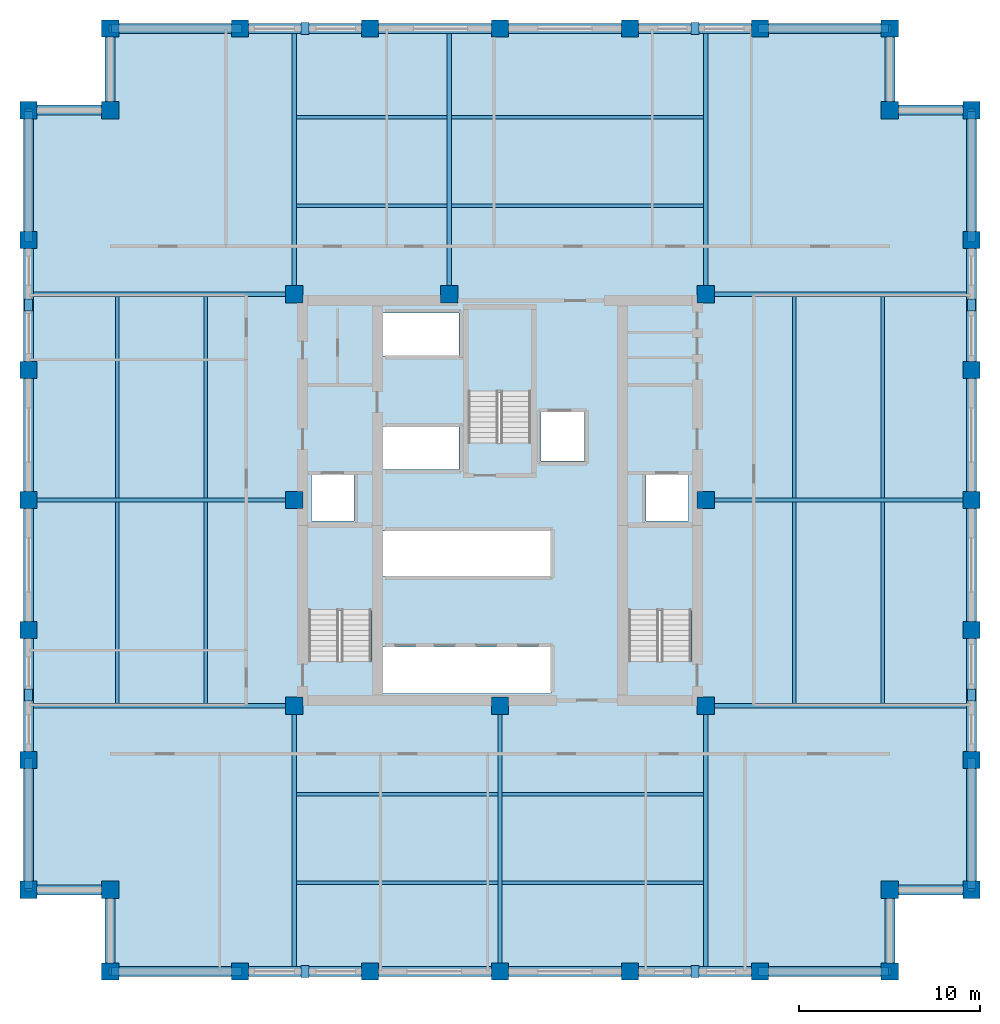
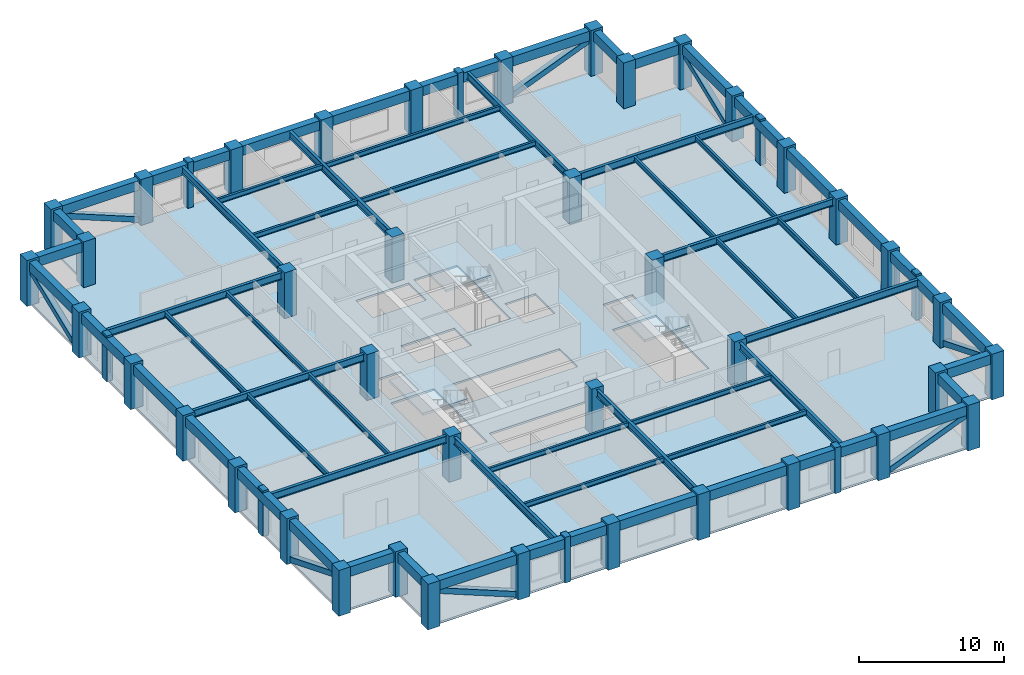
# One storey, part 1 of 6: 60 beams, 40 columns, 16 members, 4 slabs, 3 elements without a shape of their own.
"""IFC4 building model written with IfcOpenShell, lengths in metres."""

from ifc_helpers import new_model, si_unit, direction, frame, origin, origin_2d, place, context, subcontext, project, spatial, polyline, rectangle, hollow_rectangle, i_section, outline, extrude, material, layer, layer_set, material_profile, profile_set, type_object, element, aggregate, save


model = new_model("IFC4")

# Units and contexts
model_context = context("Model", 3, precision=1e-05, world=origin(), true_north=direction((0.0, 1.0)))
body_context = subcontext(model_context, "Body", "Model", "MODEL_VIEW")
ifc_project = project(units=[si_unit("LENGTHUNIT", "METRE"), si_unit("AREAUNIT", "SQUARE_METRE"), si_unit("VOLUMEUNIT", "CUBIC_METRE"), si_unit("PLANEANGLEUNIT", "RADIAN"), si_unit("MASSUNIT", "GRAM", prefix="KILO")], contexts=[model_context])

# Site, building, storey
site_placement = place(None, origin())
site = spatial("IfcSite", under=ifc_project, at=site_placement, CompositionType="ELEMENT")
building_placement = place(site_placement, origin())
building = spatial("IfcBuilding", under=site, at=building_placement, Name="Nhamokura Convention Tower", CompositionType="ELEMENT")
storey_placement = place(building_placement, frame((0.0, 0.0, 129.85009765625)))
storey = spatial("IfcBuildingStorey", under=building, at=storey_placement, Name="L31", CompositionType="ELEMENT", Elevation=129.85009765625)

# Columns
ifc_material_1 = material(Name="Concrete C60/75", Category="concrete")
ifc_material_profile_1 = material_profile(ifc_material_1, rectangle(XDim=0.949951171875, YDim=0.949951171875, at=origin_2d()))
ifc_profile_set_1 = profile_set([ifc_material_profile_1], Name="Concrete C60/75")
column_type = type_object("IfcColumnType", Name="TubeColumn_Z2_950", PredefinedType="COLUMN", material=ifc_profile_set_1)
for number, where, z_axis, x_axis, name in (
    (1, (20.64990234375, 20.64990234375, 0.0), (0.0, 0.0, 1.0), (1.0, 0.0, 0.0), "L31 Core Column CC-SW"),
    (2, (32.0, 20.64990234375, 0.0), (0.0, 0.0, 1.0), (1.0, 0.0, 0.0), "L31 Core Column CC-S"),
    (3, (43.35009765625, 20.64990234375, 0.0), (0.0, 0.0, 1.0), (1.0, 0.0, 0.0), "L31 Core Column CC-SE"),
    (4, (43.35009765625, 32.0, 0.0), (0.0, 0.0, 1.0), (1.0, 0.0, 0.0), "L31 Core Column CC-E"),
    (5, (43.35009765625, 43.35009765625, 0.0), (0.0, 0.0, 1.0), (1.0, 0.0, 0.0), "L31 Core Column CC-NE"),
    (6, (29.199951171875, 43.35009765625, 0.0), (0.0, 0.0, 1.0), (1.0, 0.0, 0.0), "L31 Core Column CC-N"),
    (7, (20.64990234375, 43.35009765625, 0.0), (0.0, 0.0, 1.0), (1.0, 0.0, 0.0), "L31 Core Column CC-NW"),
    (8, (20.64990234375, 32.0, 0.0), (0.0, 0.0, 1.0), (1.0, 0.0, 0.0), "L31 Core Column CC-W"),
    (9, (10.5, 6.0, 0.0), (0.0, 0.0, 1.0), (1.0, 0.0, 0.0), "L31 Perimeter Tube Column SW1"),
    (10, (10.5, 10.5, 0.0), (0.0, 0.0, 1.0), (1.0, 0.0, 0.0), "L31 Perimeter Tube Column SW0"),
    (11, (6.0, 10.5, 0.0), (0.0, 0.0, 1.0), (1.0, 0.0, 0.0), "L31 Perimeter Tube Column SW2"),
    (12, (53.5, 6.0, 0.0), (0.0, 0.0, 1.0), (1.0, 0.0, 0.0), "L31 Perimeter Tube Column SE1"),
    (13, (53.5, 10.5, 0.0), (0.0, 0.0, 1.0), (1.0, 0.0, 0.0), "L31 Perimeter Tube Column SE0"),
    (14, (58.0, 10.5, 0.0), (0.0, 0.0, 1.0), (1.0, 0.0, 0.0), "L31 Perimeter Tube Column SE2"),
    (15, (58.0, 53.5, 0.0), (0.0, 0.0, 1.0), (1.0, 0.0, 0.0), "L31 Perimeter Tube Column NE1"),
    (16, (53.5, 53.5, 0.0), (0.0, 0.0, 1.0), (1.0, 0.0, 0.0), "L31 Perimeter Tube Column NE0"),
    (17, (53.5, 58.0, 0.0), (0.0, 0.0, 1.0), (1.0, 0.0, 0.0), "L31 Perimeter Tube Column NE2"),
    (18, (10.5, 58.0, 0.0), (0.0, 0.0, 1.0), (1.0, 0.0, 0.0), "L31 Perimeter Tube Column NW1"),
    (19, (10.5, 53.5, 0.0), (0.0, 0.0, 1.0), (1.0, 0.0, 0.0), "L31 Perimeter Tube Column NW0"),
    (20, (6.0, 53.5, 0.0), (0.0, 0.0, 1.0), (1.0, 0.0, 0.0), "L31 Perimeter Tube Column NW2"),
    (21, (17.666748046875, 6.0, 0.0), (0.0, 0.0, 1.0), (1.0, 0.0, 0.0), "L31 Perimeter Tube Column S1"),
    (22, (17.666748046875, 58.0, 0.0), (0.0, 0.0, 1.0), (1.0, 0.0, 0.0), "L31 Perimeter Tube Column N1"),
    (23, (6.0, 17.666748046875, 0.0), (0.0, 0.0, 1.0), (1.0, 0.0, 0.0), "L31 Perimeter Tube Column W1"),
    (24, (58.0, 17.666748046875, 0.0), (0.0, 0.0, 1.0), (1.0, 0.0, 0.0), "L31 Perimeter Tube Column E1"),
    (25, (24.833251953125, 6.0, 0.0), (0.0, 0.0, 1.0), (1.0, 0.0, 0.0), "L31 Perimeter Tube Column S2"),
    (26, (24.833251953125, 58.0, 0.0), (0.0, 0.0, 1.0), (1.0, 0.0, 0.0), "L31 Perimeter Tube Column N2"),
    (27, (6.0, 24.833251953125, 0.0), (0.0, 0.0, 1.0), (1.0, 0.0, 0.0), "L31 Perimeter Tube Column W2"),
    (28, (58.0, 24.833251953125, 0.0), (0.0, 0.0, 1.0), (1.0, 0.0, 0.0), "L31 Perimeter Tube Column E2"),
    (29, (32.0, 6.0, 0.0), (0.0, 0.0, 1.0), (1.0, 0.0, 0.0), "L31 Perimeter Tube Column S3"),
    (30, (32.0, 58.0, 0.0), (0.0, 0.0, 1.0), (1.0, 0.0, 0.0), "L31 Perimeter Tube Column N3"),
    (31, (6.0, 32.0, 0.0), (0.0, 0.0, 1.0), (1.0, 0.0, 0.0), "L31 Perimeter Tube Column W3"),
    (32, (58.0, 32.0, 0.0), (0.0, 0.0, 1.0), (1.0, 0.0, 0.0), "L31 Perimeter Tube Column E3"),
    (33, (39.166748046875, 6.0, 0.0), (0.0, 0.0, 1.0), (1.0, 0.0, 0.0), "L31 Perimeter Tube Column S4"),
    (34, (39.166748046875, 58.0, 0.0), (0.0, 0.0, 1.0), (1.0, 0.0, 0.0), "L31 Perimeter Tube Column N4"),
    (35, (6.0, 39.166748046875, 0.0), (0.0, 0.0, 1.0), (1.0, 0.0, 0.0), "L31 Perimeter Tube Column W4"),
    (36, (58.0, 39.166748046875, 0.0), (0.0, 0.0, 1.0), (1.0, 0.0, 0.0), "L31 Perimeter Tube Column E4"),
    (37, (46.333251953125, 6.0, 0.0), (0.0, 0.0, 1.0), (1.0, 0.0, 0.0), "L31 Perimeter Tube Column S5"),
    (38, (46.333251953125, 58.0, 0.0), (0.0, 0.0, 1.0), (1.0, 0.0, 0.0), "L31 Perimeter Tube Column N5"),
    (39, (6.0, 46.333251953125, 0.0), (0.0, 0.0, 1.0), (1.0, 0.0, 0.0), "L31 Perimeter Tube Column W5"),
    (40, (58.0, 46.333251953125, 0.0), (0.0, 0.0, 1.0), (1.0, 0.0, 0.0), "L31 Perimeter Tube Column E5"),
):
    element("IfcColumn", number, at=place(storey_placement, frame(where, z_axis=z_axis, x_axis=x_axis)), inside=storey, type_object=column_type, Name=name, PredefinedType="COLUMN", context=body_context, shape_type="SweptSolid", body=[
        extrude(rectangle(XDim=0.949951171875, YDim=0.949951171875, at=origin_2d()), origin(), (0.0, 0.0, 1.0), 3.849853515625),
    ])

# Members
ifc_material_2 = material(Name="Bronze-pigmented precast concrete C45/55", Category="concrete")
ifc_material_profile_2 = material_profile(ifc_material_2, rectangle(XDim=0.449951171875, YDim=0.64990234375, at=origin_2d()))
ifc_profile_set_2 = profile_set([ifc_material_profile_2], Name="Bronze-pigmented precast concrete C45/55")
member_type_1 = type_object("IfcMemberType", Name="BronzePilaster_650", PredefinedType="USERDEFINED", material=ifc_profile_set_2)
for number, where, z_axis, x_axis, name in (
    (41, (21.25, 6.0, 0.0), (0.0, 0.0, 1.0), (1.0, 0.0, 0.0), "L31 Engaged Frame Pilaster SOUTH 1"),
    (42, (42.75, 6.0, 0.0), (0.0, 0.0, 1.0), (1.0, 0.0, 0.0), "L31 Engaged Frame Pilaster SOUTH 4"),
    (43, (21.25, 58.0, 0.0), (0.0, 0.0, 1.0), (1.0, 0.0, 0.0), "L31 Engaged Frame Pilaster NORTH 1"),
    (44, (42.75, 58.0, 0.0), (0.0, 0.0, 1.0), (1.0, 0.0, 0.0), "L31 Engaged Frame Pilaster NORTH 4"),
    (45, (6.0, 21.25, 0.0), (0.0, 0.0, 1.0), (1.0, 0.0, 0.0), "L31 Engaged Frame Pilaster WEST 1"),
    (46, (6.0, 42.75, 0.0), (0.0, 0.0, 1.0), (1.0, 0.0, 0.0), "L31 Engaged Frame Pilaster WEST 4"),
    (47, (58.0, 21.25, 0.0), (0.0, 0.0, 1.0), (1.0, 0.0, 0.0), "L31 Engaged Frame Pilaster EAST 1"),
    (48, (58.0, 42.75, 0.0), (0.0, 0.0, 1.0), (1.0, 0.0, 0.0), "L31 Engaged Frame Pilaster EAST 4"),
):
    element("IfcMember", number, at=place(storey_placement, frame(where, z_axis=z_axis, x_axis=x_axis)), inside=storey, type_object=member_type_1, Name=name, ObjectType="PILASTER_TRIM", PredefinedType="USERDEFINED", context=body_context, shape_type="SweptSolid", body=[
        extrude(rectangle(XDim=0.449951171875, YDim=0.64990234375, at=origin_2d()), origin(), (0.0, 0.0, 1.0), 3.849853515625),
    ])

# Beams
ifc_material_3 = material(Name="Steel ASTM A992 Gr 50", Category="steel")
ifc_material_profile_3 = material_profile(ifc_material_3, i_section(OverallWidth=0.177001953125, OverallDepth=0.403076171875, WebThickness=0.007568359375, FlangeThickness=0.010986328125, at=origin_2d()))
ifc_profile_set_3 = profile_set([ifc_material_profile_3], Name="Steel ASTM A992 Gr 50")
beam_type_1 = type_object("IfcBeamType", Name="FloorJoist_W410X53", PredefinedType="JOIST", material=ifc_profile_set_3)
for number, where, z_axis, x_axis, name in (
    (49, (20.761962890625, 10.88330078125, 3.4833984375), (1.0, 0.0, 0.0), (0.0, 1.0, 0.0), "L31 Composite Floor Joist S1A"),
    (50, (32.112060546875, 10.88330078125, 3.4833984375), (1.0, 0.0, 0.0), (0.0, 1.0, 0.0), "L31 Composite Floor Joist S1B"),
    (51, (20.761962890625, 15.7666015625, 3.4833984375), (1.0, 0.0, 0.0), (0.0, 1.0, 0.0), "L31 Composite Floor Joist S2A"),
    (52, (32.112060546875, 15.7666015625, 3.4833984375), (1.0, 0.0, 0.0), (0.0, 1.0, 0.0), "L31 Composite Floor Joist S2B"),
):
    element("IfcBeam", number, at=place(storey_placement, frame(where, z_axis=z_axis, x_axis=x_axis)), inside=storey, type_object=beam_type_1, Name=name, PredefinedType="JOIST", context=body_context, shape_type="SweptSolid", body=[
        extrude(i_section(OverallWidth=0.177001953125, OverallDepth=0.403076171875, WebThickness=0.007568359375, FlangeThickness=0.010986328125, at=origin_2d()), origin(), (0.0, 0.0, 1.0), 11.1259765625),
    ])
beam_1_placement = place(storey_placement, frame((20.761962890625, 48.2333984375, 3.4833984375), z_axis=(1.0, 0.0, 0.0), x_axis=(0.0, 1.0, 0.0)))
element("IfcBeam", 53, at=beam_1_placement, inside=storey, type_object=beam_type_1, Name="L31 Composite Floor Joist N1A", PredefinedType="JOIST", context=body_context, shape_type="SweptSolid", body=[
    extrude(i_section(OverallWidth=0.177001953125, OverallDepth=0.403076171875, WebThickness=0.007568359375, FlangeThickness=0.010986328125, at=origin_2d()), origin(), (0.0, 0.0, 1.0), 8.325927734375),
])
beam_2_placement = place(storey_placement, frame((29.31201171875, 48.2333984375, 3.4833984375), z_axis=(1.0, 0.0, 0.0), x_axis=(0.0, 1.0, 0.0)))
element("IfcBeam", 54, at=beam_2_placement, inside=storey, type_object=beam_type_1, Name="L31 Composite Floor Joist N1B", PredefinedType="JOIST", context=body_context, shape_type="SweptSolid", body=[
    extrude(i_section(OverallWidth=0.177001953125, OverallDepth=0.403076171875, WebThickness=0.007568359375, FlangeThickness=0.010986328125, at=origin_2d()), origin(), (0.0, 0.0, 1.0), 13.926025390625),
])
beam_3_placement = place(storey_placement, frame((20.761962890625, 53.11669921875, 3.4833984375), z_axis=(1.0, 0.0, 0.0), x_axis=(0.0, 1.0, 0.0)))
element("IfcBeam", 55, at=beam_3_placement, inside=storey, type_object=beam_type_1, Name="L31 Composite Floor Joist N2A", PredefinedType="JOIST", context=body_context, shape_type="SweptSolid", body=[
    extrude(i_section(OverallWidth=0.177001953125, OverallDepth=0.403076171875, WebThickness=0.007568359375, FlangeThickness=0.010986328125, at=origin_2d()), origin(), (0.0, 0.0, 1.0), 8.325927734375),
])
beam_4_placement = place(storey_placement, frame((29.31201171875, 53.11669921875, 3.4833984375), z_axis=(1.0, 0.0, 0.0), x_axis=(0.0, 1.0, 0.0)))
element("IfcBeam", 56, at=beam_4_placement, inside=storey, type_object=beam_type_1, Name="L31 Composite Floor Joist N2B", PredefinedType="JOIST", context=body_context, shape_type="SweptSolid", body=[
    extrude(i_section(OverallWidth=0.177001953125, OverallDepth=0.403076171875, WebThickness=0.007568359375, FlangeThickness=0.010986328125, at=origin_2d()), origin(), (0.0, 0.0, 1.0), 13.926025390625),
])
for number, where, z_axis, x_axis, name in (
    (57, (10.88330078125, 20.761962890625, 3.4833984375), (0.0, 1.0, 0.0), (-1.0, 0.0, 0.0), "L31 Composite Floor Joist W1A"),
    (58, (10.88330078125, 32.112060546875, 3.4833984375), (0.0, 1.0, 0.0), (-1.0, 0.0, 0.0), "L31 Composite Floor Joist W1B"),
    (59, (15.7666015625, 20.761962890625, 3.4833984375), (0.0, 1.0, 0.0), (-1.0, 0.0, 0.0), "L31 Composite Floor Joist W2A"),
    (60, (15.7666015625, 32.112060546875, 3.4833984375), (0.0, 1.0, 0.0), (-1.0, 0.0, 0.0), "L31 Composite Floor Joist W2B"),
    (61, (48.2333984375, 20.761962890625, 3.4833984375), (0.0, 1.0, 0.0), (-1.0, 0.0, 0.0), "L31 Composite Floor Joist E1A"),
    (62, (48.2333984375, 32.112060546875, 3.4833984375), (0.0, 1.0, 0.0), (-1.0, 0.0, 0.0), "L31 Composite Floor Joist E1B"),
    (63, (53.11669921875, 20.761962890625, 3.4833984375), (0.0, 1.0, 0.0), (-1.0, 0.0, 0.0), "L31 Composite Floor Joist E2A"),
    (64, (53.11669921875, 32.112060546875, 3.4833984375), (0.0, 1.0, 0.0), (-1.0, 0.0, 0.0), "L31 Composite Floor Joist E2B"),
):
    element("IfcBeam", number, at=place(storey_placement, frame(where, z_axis=z_axis, x_axis=x_axis)), inside=storey, type_object=beam_type_1, Name=name, PredefinedType="JOIST", context=body_context, shape_type="SweptSolid", body=[
        extrude(i_section(OverallWidth=0.177001953125, OverallDepth=0.403076171875, WebThickness=0.007568359375, FlangeThickness=0.010986328125, at=origin_2d()), origin(), (0.0, 0.0, 1.0), 11.1259765625),
    ])
ifc_material_4 = material(Name="Steel ASTM A992 Gr 50", Category="steel")
ifc_material_profile_4 = material_profile(ifc_material_4, i_section(OverallWidth=0.22802734375, OverallDepth=0.60791015625, WebThickness=0.01123046875, FlangeThickness=0.017333984375, at=origin_2d()))
ifc_profile_set_4 = profile_set([ifc_material_profile_4], Name="Steel ASTM A992 Gr 50")
beam_type_2 = type_object("IfcBeamType", Name="PrimaryGirder_W610X113", PredefinedType="BEAM", material=ifc_profile_set_4)
for number, where, z_axis, x_axis, name in (
    (65, (20.64990234375, 6.0, 3.380859375), (0.0, 1.0, 0.0), (-1.0, 0.0, 0.0), "L31 Primary Floor Girder PG-S1"),
    (66, (32.0, 6.0, 3.380859375), (0.0, 1.0, 0.0), (-1.0, 0.0, 0.0), "L31 Primary Floor Girder PG-S2"),
    (67, (43.35009765625, 6.0, 3.380859375), (0.0, 1.0, 0.0), (-1.0, 0.0, 0.0), "L31 Primary Floor Girder PG-S3"),
    (68, (20.64990234375, 43.35009765625, 3.380859375), (0.0, 1.0, 0.0), (-1.0, 0.0, 0.0), "L31 Primary Floor Girder PG-N1"),
    (69, (29.199951171875, 43.35009765625, 3.380859375), (0.0, 1.0, 0.0), (-1.0, 0.0, 0.0), "L31 Primary Floor Girder PG-N2"),
    (70, (43.35009765625, 43.35009765625, 3.380859375), (0.0, 1.0, 0.0), (-1.0, 0.0, 0.0), "L31 Primary Floor Girder PG-N3"),
    (71, (6.0, 20.64990234375, 3.380859375), (1.0, 0.0, 0.0), (0.0, 1.0, 0.0), "L31 Primary Floor Girder PG-W1"),
    (72, (6.0, 32.0, 3.380859375), (1.0, 0.0, 0.0), (0.0, 1.0, 0.0), "L31 Primary Floor Girder PG-W2"),
    (73, (6.0, 43.35009765625, 3.380859375), (1.0, 0.0, 0.0), (0.0, 1.0, 0.0), "L31 Primary Floor Girder PG-W3"),
    (74, (43.35009765625, 20.64990234375, 3.380859375), (1.0, 0.0, 0.0), (0.0, 1.0, 0.0), "L31 Primary Floor Girder PG-E1"),
    (75, (43.35009765625, 32.0, 3.380859375), (1.0, 0.0, 0.0), (0.0, 1.0, 0.0), "L31 Primary Floor Girder PG-E2"),
    (76, (43.35009765625, 43.35009765625, 3.380859375), (1.0, 0.0, 0.0), (0.0, 1.0, 0.0), "L31 Primary Floor Girder PG-E3"),
):
    element("IfcBeam", number, at=place(storey_placement, frame(where, z_axis=z_axis, x_axis=x_axis)), inside=storey, type_object=beam_type_2, Name=name, PredefinedType="BEAM", context=body_context, shape_type="SweptSolid", body=[
        extrude(i_section(OverallWidth=0.22802734375, OverallDepth=0.60791015625, WebThickness=0.01123046875, FlangeThickness=0.017333984375, at=origin_2d()), origin(), (0.0, 0.0, 1.0), 14.64990234375),
    ])

# Members
ifc_material_5 = material(Name="Steel ASTM A572 Gr 50", Category="steel")
ifc_material_profile_5 = material_profile(ifc_material_5, hollow_rectangle(XDim=0.449951171875, YDim=0.449951171875, WallThickness=0.02197265625, at=origin_2d()))
ifc_profile_set_5 = profile_set([ifc_material_profile_5], Name="Steel ASTM A572 Gr 50")
member_type_2 = type_object("IfcMemberType", Name="TubeBrace_HSS450", PredefinedType="BRACE", material=ifc_profile_set_5)
for number, where, z_axis, x_axis, name in (
    (77, (17.666748046875, 6.0, 0.14990234375), (-0.927657166893, 0.0, 0.373432966826), (0.0, -1.0, 0.0), "L31 Perimeter Tube Brace SOUTH Bay 0"),
    (78, (46.333251953125, 6.0, 0.14990234375), (0.927657166893, 0.0, 0.373432966826), (0.0, 1.0, 0.0), "L31 Perimeter Tube Brace SOUTH Bay 5"),
    (79, (17.666748046875, 58.0, 0.14990234375), (-0.927657166893, 0.0, 0.373432966826), (0.0, -1.0, 0.0), "L31 Perimeter Tube Brace NORTH Bay 0"),
    (80, (46.333251953125, 58.0, 0.14990234375), (0.927657166893, 0.0, 0.373432966826), (0.0, 1.0, 0.0), "L31 Perimeter Tube Brace NORTH Bay 5"),
    (81, (6.0, 17.666748046875, 0.14990234375), (0.0, -0.927657166893, 0.373432966826), (1.0, 0.0, 0.0), "L31 Perimeter Tube Brace WEST Bay 0"),
    (82, (6.0, 46.333251953125, 0.14990234375), (0.0, 0.927657166893, 0.373432966826), (-1.0, 0.0, 0.0), "L31 Perimeter Tube Brace WEST Bay 5"),
    (83, (58.0, 17.666748046875, 0.14990234375), (0.0, -0.927657166893, 0.373432966826), (1.0, 0.0, 0.0), "L31 Perimeter Tube Brace EAST Bay 0"),
    (84, (58.0, 46.333251953125, 0.14990234375), (0.0, 0.927657166893, 0.373432966826), (-1.0, 0.0, 0.0), "L31 Perimeter Tube Brace EAST Bay 5"),
):
    element("IfcMember", number, at=place(storey_placement, frame(where, z_axis=z_axis, x_axis=x_axis)), inside=storey, type_object=member_type_2, Name=name, PredefinedType="BRACE", context=body_context, shape_type="SweptSolid", body=[
        extrude(hollow_rectangle(XDim=0.449951171875, YDim=0.449951171875, WallThickness=0.02197265625, at=origin_2d()), origin(), (0.0, 0.0, 1.0), 7.7255859375),
    ])

# Beams
ifc_material_6 = material(Name="Concrete C50/60", Category="concrete")
ifc_material_profile_6 = material_profile(ifc_material_6, rectangle(XDim=0.550048828125, YDim=0.800048828125, at=origin_2d()))
ifc_profile_set_6 = profile_set([ifc_material_profile_6], Name="Concrete C50/60")
beam_type_3 = type_object("IfcBeamType", Name="TubeSpandrel_800", PredefinedType="SPANDREL", material=ifc_profile_set_6)
beam_5_placement = place(storey_placement, frame((10.5, 6.0, 3.284912109375), z_axis=(1.0, 0.0, 0.0), x_axis=(0.0, 1.0, 0.0)))
element("IfcBeam", 85, at=beam_5_placement, inside=storey, type_object=beam_type_3, Name="L31 Perimeter Spandrel SOUTH 1", PredefinedType="SPANDREL", context=body_context, shape_type="SweptSolid", body=[
    extrude(rectangle(XDim=0.550048828125, YDim=0.800048828125, at=origin_2d()), origin(), (0.0, 0.0, 1.0), 7.166748046875),
])
beam_6_placement = place(storey_placement, frame((17.666748046875, 6.0, 3.284912109375), z_axis=(1.0, 0.0, 0.0), x_axis=(0.0, 1.0, 0.0)))
element("IfcBeam", 86, at=beam_6_placement, inside=storey, type_object=beam_type_3, Name="L31 Perimeter Spandrel SOUTH 2", PredefinedType="SPANDREL", context=body_context, shape_type="SweptSolid", body=[
    extrude(rectangle(XDim=0.550048828125, YDim=0.800048828125, at=origin_2d()), origin(), (0.0, 0.0, 1.0), 7.16650390625),
])
for number, where, z_axis, x_axis, name in (
    (87, (24.833251953125, 6.0, 3.284912109375), (1.0, 0.0, 0.0), (0.0, 1.0, 0.0), "L31 Perimeter Spandrel SOUTH 3"),
    (88, (32.0, 6.0, 3.284912109375), (1.0, 0.0, 0.0), (0.0, 1.0, 0.0), "L31 Perimeter Spandrel SOUTH 4"),
):
    element("IfcBeam", number, at=place(storey_placement, frame(where, z_axis=z_axis, x_axis=x_axis)), inside=storey, type_object=beam_type_3, Name=name, PredefinedType="SPANDREL", context=body_context, shape_type="SweptSolid", body=[
        extrude(rectangle(XDim=0.550048828125, YDim=0.800048828125, at=origin_2d()), origin(), (0.0, 0.0, 1.0), 7.166748046875),
    ])
beam_7_placement = place(storey_placement, frame((39.166748046875, 6.0, 3.284912109375), z_axis=(1.0, 0.0, 0.0), x_axis=(0.0, 1.0, 0.0)))
element("IfcBeam", 89, at=beam_7_placement, inside=storey, type_object=beam_type_3, Name="L31 Perimeter Spandrel SOUTH 5", PredefinedType="SPANDREL", context=body_context, shape_type="SweptSolid", body=[
    extrude(rectangle(XDim=0.550048828125, YDim=0.800048828125, at=origin_2d()), origin(), (0.0, 0.0, 1.0), 7.16650390625),
])
for number, where, z_axis, x_axis, name in (
    (90, (46.333251953125, 6.0, 3.284912109375), (1.0, 0.0, 0.0), (0.0, 1.0, 0.0), "L31 Perimeter Spandrel SOUTH 6"),
    (91, (10.5, 58.0, 3.284912109375), (1.0, 0.0, 0.0), (0.0, 1.0, 0.0), "L31 Perimeter Spandrel NORTH 1"),
):
    element("IfcBeam", number, at=place(storey_placement, frame(where, z_axis=z_axis, x_axis=x_axis)), inside=storey, type_object=beam_type_3, Name=name, PredefinedType="SPANDREL", context=body_context, shape_type="SweptSolid", body=[
        extrude(rectangle(XDim=0.550048828125, YDim=0.800048828125, at=origin_2d()), origin(), (0.0, 0.0, 1.0), 7.166748046875),
    ])
beam_8_placement = place(storey_placement, frame((17.666748046875, 58.0, 3.284912109375), z_axis=(1.0, 0.0, 0.0), x_axis=(0.0, 1.0, 0.0)))
element("IfcBeam", 92, at=beam_8_placement, inside=storey, type_object=beam_type_3, Name="L31 Perimeter Spandrel NORTH 2", PredefinedType="SPANDREL", context=body_context, shape_type="SweptSolid", body=[
    extrude(rectangle(XDim=0.550048828125, YDim=0.800048828125, at=origin_2d()), origin(), (0.0, 0.0, 1.0), 7.16650390625),
])
for number, where, z_axis, x_axis, name in (
    (93, (24.833251953125, 58.0, 3.284912109375), (1.0, 0.0, 0.0), (0.0, 1.0, 0.0), "L31 Perimeter Spandrel NORTH 3"),
    (94, (32.0, 58.0, 3.284912109375), (1.0, 0.0, 0.0), (0.0, 1.0, 0.0), "L31 Perimeter Spandrel NORTH 4"),
):
    element("IfcBeam", number, at=place(storey_placement, frame(where, z_axis=z_axis, x_axis=x_axis)), inside=storey, type_object=beam_type_3, Name=name, PredefinedType="SPANDREL", context=body_context, shape_type="SweptSolid", body=[
        extrude(rectangle(XDim=0.550048828125, YDim=0.800048828125, at=origin_2d()), origin(), (0.0, 0.0, 1.0), 7.166748046875),
    ])
beam_9_placement = place(storey_placement, frame((39.166748046875, 58.0, 3.284912109375), z_axis=(1.0, 0.0, 0.0), x_axis=(0.0, 1.0, 0.0)))
element("IfcBeam", 95, at=beam_9_placement, inside=storey, type_object=beam_type_3, Name="L31 Perimeter Spandrel NORTH 5", PredefinedType="SPANDREL", context=body_context, shape_type="SweptSolid", body=[
    extrude(rectangle(XDim=0.550048828125, YDim=0.800048828125, at=origin_2d()), origin(), (0.0, 0.0, 1.0), 7.16650390625),
])
for number, where, z_axis, x_axis, name in (
    (96, (46.333251953125, 58.0, 3.284912109375), (1.0, 0.0, 0.0), (0.0, 1.0, 0.0), "L31 Perimeter Spandrel NORTH 6"),
    (97, (6.0, 10.5, 3.284912109375), (0.0, 1.0, 0.0), (-1.0, 0.0, 0.0), "L31 Perimeter Spandrel WEST 1"),
):
    element("IfcBeam", number, at=place(storey_placement, frame(where, z_axis=z_axis, x_axis=x_axis)), inside=storey, type_object=beam_type_3, Name=name, PredefinedType="SPANDREL", context=body_context, shape_type="SweptSolid", body=[
        extrude(rectangle(XDim=0.550048828125, YDim=0.800048828125, at=origin_2d()), origin(), (0.0, 0.0, 1.0), 7.166748046875),
    ])
beam_10_placement = place(storey_placement, frame((6.0, 17.666748046875, 3.284912109375), z_axis=(0.0, 1.0, 0.0), x_axis=(-1.0, 0.0, 0.0)))
element("IfcBeam", 98, at=beam_10_placement, inside=storey, type_object=beam_type_3, Name="L31 Perimeter Spandrel WEST 2", PredefinedType="SPANDREL", context=body_context, shape_type="SweptSolid", body=[
    extrude(rectangle(XDim=0.550048828125, YDim=0.800048828125, at=origin_2d()), origin(), (0.0, 0.0, 1.0), 7.16650390625),
])
for number, where, z_axis, x_axis, name in (
    (99, (6.0, 24.833251953125, 3.284912109375), (0.0, 1.0, 0.0), (-1.0, 0.0, 0.0), "L31 Perimeter Spandrel WEST 3"),
    (100, (6.0, 32.0, 3.284912109375), (0.0, 1.0, 0.0), (-1.0, 0.0, 0.0), "L31 Perimeter Spandrel WEST 4"),
):
    element("IfcBeam", number, at=place(storey_placement, frame(where, z_axis=z_axis, x_axis=x_axis)), inside=storey, type_object=beam_type_3, Name=name, PredefinedType="SPANDREL", context=body_context, shape_type="SweptSolid", body=[
        extrude(rectangle(XDim=0.550048828125, YDim=0.800048828125, at=origin_2d()), origin(), (0.0, 0.0, 1.0), 7.166748046875),
    ])
beam_11_placement = place(storey_placement, frame((6.0, 39.166748046875, 3.284912109375), z_axis=(0.0, 1.0, 0.0), x_axis=(-1.0, 0.0, 0.0)))
element("IfcBeam", 101, at=beam_11_placement, inside=storey, type_object=beam_type_3, Name="L31 Perimeter Spandrel WEST 5", PredefinedType="SPANDREL", context=body_context, shape_type="SweptSolid", body=[
    extrude(rectangle(XDim=0.550048828125, YDim=0.800048828125, at=origin_2d()), origin(), (0.0, 0.0, 1.0), 7.16650390625),
])
for number, where, z_axis, x_axis, name in (
    (102, (6.0, 46.333251953125, 3.284912109375), (0.0, 1.0, 0.0), (-1.0, 0.0, 0.0), "L31 Perimeter Spandrel WEST 6"),
    (103, (58.0, 10.5, 3.284912109375), (0.0, 1.0, 0.0), (-1.0, 0.0, 0.0), "L31 Perimeter Spandrel EAST 1"),
):
    element("IfcBeam", number, at=place(storey_placement, frame(where, z_axis=z_axis, x_axis=x_axis)), inside=storey, type_object=beam_type_3, Name=name, PredefinedType="SPANDREL", context=body_context, shape_type="SweptSolid", body=[
        extrude(rectangle(XDim=0.550048828125, YDim=0.800048828125, at=origin_2d()), origin(), (0.0, 0.0, 1.0), 7.166748046875),
    ])
beam_12_placement = place(storey_placement, frame((58.0, 17.666748046875, 3.284912109375), z_axis=(0.0, 1.0, 0.0), x_axis=(-1.0, 0.0, 0.0)))
element("IfcBeam", 104, at=beam_12_placement, inside=storey, type_object=beam_type_3, Name="L31 Perimeter Spandrel EAST 2", PredefinedType="SPANDREL", context=body_context, shape_type="SweptSolid", body=[
    extrude(rectangle(XDim=0.550048828125, YDim=0.800048828125, at=origin_2d()), origin(), (0.0, 0.0, 1.0), 7.16650390625),
])
for number, where, z_axis, x_axis, name in (
    (105, (58.0, 24.833251953125, 3.284912109375), (0.0, 1.0, 0.0), (-1.0, 0.0, 0.0), "L31 Perimeter Spandrel EAST 3"),
    (106, (58.0, 32.0, 3.284912109375), (0.0, 1.0, 0.0), (-1.0, 0.0, 0.0), "L31 Perimeter Spandrel EAST 4"),
):
    element("IfcBeam", number, at=place(storey_placement, frame(where, z_axis=z_axis, x_axis=x_axis)), inside=storey, type_object=beam_type_3, Name=name, PredefinedType="SPANDREL", context=body_context, shape_type="SweptSolid", body=[
        extrude(rectangle(XDim=0.550048828125, YDim=0.800048828125, at=origin_2d()), origin(), (0.0, 0.0, 1.0), 7.166748046875),
    ])
beam_13_placement = place(storey_placement, frame((58.0, 39.166748046875, 3.284912109375), z_axis=(0.0, 1.0, 0.0), x_axis=(-1.0, 0.0, 0.0)))
element("IfcBeam", 107, at=beam_13_placement, inside=storey, type_object=beam_type_3, Name="L31 Perimeter Spandrel EAST 5", PredefinedType="SPANDREL", context=body_context, shape_type="SweptSolid", body=[
    extrude(rectangle(XDim=0.550048828125, YDim=0.800048828125, at=origin_2d()), origin(), (0.0, 0.0, 1.0), 7.16650390625),
])
beam_14_placement = place(storey_placement, frame((58.0, 46.333251953125, 3.284912109375), z_axis=(0.0, 1.0, 0.0), x_axis=(-1.0, 0.0, 0.0)))
element("IfcBeam", 108, at=beam_14_placement, inside=storey, type_object=beam_type_3, Name="L31 Perimeter Spandrel EAST 6", PredefinedType="SPANDREL", context=body_context, shape_type="SweptSolid", body=[
    extrude(rectangle(XDim=0.550048828125, YDim=0.800048828125, at=origin_2d()), origin(), (0.0, 0.0, 1.0), 7.166748046875),
])
for number, where, z_axis, x_axis, name in (
    (109, (10.5, 6.0, 3.284912109375), (0.0, 1.0, 0.0), (-1.0, 0.0, 0.0), "L31 Notch Spandrel SW1"),
    (110, (10.5, 10.5, 3.284912109375), (-1.0, 0.0, 0.0), (0.0, -1.0, 0.0), "L31 Notch Spandrel SW2"),
    (111, (53.5, 6.0, 3.284912109375), (0.0, 1.0, 0.0), (-1.0, 0.0, 0.0), "L31 Notch Spandrel SE1"),
    (112, (53.5, 10.5, 3.284912109375), (1.0, 0.0, 0.0), (0.0, 1.0, 0.0), "L31 Notch Spandrel SE2"),
    (113, (58.0, 53.5, 3.284912109375), (-1.0, 0.0, 0.0), (0.0, -1.0, 0.0), "L31 Notch Spandrel NE1"),
    (114, (53.5, 53.5, 3.284912109375), (0.0, 1.0, 0.0), (-1.0, 0.0, 0.0), "L31 Notch Spandrel NE2"),
    (115, (10.5, 58.0, 3.284912109375), (0.0, -1.0, 0.0), (1.0, 0.0, 0.0), "L31 Notch Spandrel NW1"),
    (116, (10.5, 53.5, 3.284912109375), (-1.0, 0.0, 0.0), (0.0, -1.0, 0.0), "L31 Notch Spandrel NW2"),
):
    element("IfcBeam", number, at=place(storey_placement, frame(where, z_axis=z_axis, x_axis=x_axis)), inside=storey, type_object=beam_type_3, Name=name, PredefinedType="SPANDREL", context=body_context, shape_type="SweptSolid", body=[
        extrude(rectangle(XDim=0.550048828125, YDim=0.800048828125, at=origin_2d()), origin(), (0.0, 0.0, 1.0), 4.5),
    ])

# Slab
ifc_material_7 = material(Name="Concrete C40/50", Category="concrete")
ifc_layer_1 = layer(ifc_material_7, 0.1650390625)
ifc_layer_set_1 = layer_set([ifc_layer_1], Name="OfficeFloorSlab_165")
slab_type_1 = type_object("IfcSlabType", Name="OfficeFloorSlab_165", PredefinedType="FLOOR", material=ifc_layer_set_1)
slab_1_placement = place(storey_placement, frame((0.0, 0.0, -0.1650390625)))
element("IfcSlab", 117, at=slab_1_placement, inside=storey, type_object=slab_type_1, Name="L31 Structural Floor Slab", PredefinedType="FLOOR", context=body_context, shape_type="SweptSolid", body=[
    extrude(outline(polyline([(10.5, 6.0), (53.5, 6.0), (53.5, 10.5), (58.0, 10.5), (58.0, 53.5), (53.5, 53.5), (53.5, 58.0), (10.5, 58.0), (10.5, 53.5), (6.0, 53.5), (6.0, 10.5), (10.5, 10.5), (10.5, 6.0)]), holes=[polyline([(24.89990234375, 23.10009765625), (24.89990234375, 30.449951171875), (21.449951171875, 30.449951171875), (21.449951171875, 23.10009765625), (24.89990234375, 23.10009765625)]), polyline([(42.550048828125, 23.10009765625), (42.550048828125, 30.449951171875), (39.10009765625, 30.449951171875), (39.10009765625, 23.10009765625), (42.550048828125, 23.10009765625)]), polyline([(33.699951171875, 35.14990234375), (33.699951171875, 42.5), (30.25, 42.5), (30.25, 35.14990234375), (33.699951171875, 35.14990234375)]), polyline([(21.60009765625, 30.85009765625), (23.949951171875, 30.85009765625), (23.949951171875, 33.39990234375), (21.60009765625, 33.39990234375), (21.60009765625, 30.85009765625)]), polyline([(40.050048828125, 30.85009765625), (42.39990234375, 30.85009765625), (42.39990234375, 33.39990234375), (40.050048828125, 33.39990234375), (40.050048828125, 30.85009765625)]), polyline([(34.25, 34.14990234375), (36.64990234375, 34.14990234375), (36.64990234375, 36.85009765625), (34.25, 36.85009765625), (34.25, 34.14990234375)]), polyline([(25.52001953125, 21.320068359375), (34.800048828125, 21.320068359375), (34.800048828125, 23.89990234375), (25.52001953125, 23.89990234375), (25.52001953125, 21.320068359375)]), polyline([(25.52001953125, 27.800048828125), (34.800048828125, 27.800048828125), (34.800048828125, 30.300048828125), (25.52001953125, 30.300048828125), (25.52001953125, 27.800048828125)]), polyline([(25.52001953125, 33.679931640625), (29.75, 33.679931640625), (29.75, 36.050048828125), (25.52001953125, 36.050048828125), (25.52001953125, 33.679931640625)]), polyline([(25.52001953125, 39.949951171875), (29.75, 39.949951171875), (29.75, 42.320068359375), (25.52001953125, 42.320068359375), (25.52001953125, 39.949951171875)])]), origin(), (0.0, 0.0, 1.0), 0.1650390625),
])

# Stair, slab
ifc_material_8 = material(Name="Concrete C40/50", Category="concrete")
stair_type = type_object("IfcStairType", Name="TowerCoreStair_1650", PredefinedType="HALF_TURN_STAIR", material=ifc_material_8)
stair_1_placement = place(storey_placement, origin())
stair_1 = element("IfcStair", 118, at=stair_1_placement, inside=storey, type_object=stair_type, Name="L31 West Core Smokeproof Stair ST-01", PredefinedType="HALF_TURN_STAIR")
ifc_material_9 = material(Name="Concrete C40/50", Category="concrete")
ifc_layer_2 = layer(ifc_material_9, 0.199951171875)
ifc_layer_set_2 = layer_set([ifc_layer_2], Name="StairLandingSlab_200")
slab_type_2 = type_object("IfcSlabType", Name="StairLandingSlab_200", PredefinedType="LANDING", material=ifc_layer_set_2)
slab_2_placement = place(storey_placement, frame((0.0, 0.0, 1.724853515625)))
slab_2 = element("IfcSlab", 119, at=slab_2_placement, type_object=slab_type_2, Name="ST-01 landing 1", PredefinedType="LANDING", context=body_context, shape_type="SweptSolid", body=[
    extrude(outline(polyline([(24.97998046875, 25.8701171875), (24.97998046875, 30.530029296875), (21.3701171875, 30.530029296875), (21.3701171875, 25.8701171875), (24.97998046875, 25.8701171875)])), origin(), (0.0, 0.0, 1.0), 0.199951171875),
])
aggregate(stair_1, [slab_2])

stair_2_placement = place(storey_placement, origin())
stair_2 = element("IfcStair", 120, at=stair_2_placement, inside=storey, type_object=stair_type, Name="L31 East Core Smokeproof Stair ST-02", PredefinedType="HALF_TURN_STAIR")
slab_3_placement = place(storey_placement, frame((0.0, 0.0, 1.724853515625)))
slab_3 = element("IfcSlab", 121, at=slab_3_placement, type_object=slab_type_2, Name="ST-02 landing 1", PredefinedType="LANDING", context=body_context, shape_type="SweptSolid", body=[
    extrude(outline(polyline([(42.6298828125, 25.8701171875), (42.6298828125, 30.530029296875), (39.02001953125, 30.530029296875), (39.02001953125, 25.8701171875), (42.6298828125, 25.8701171875)])), origin(), (0.0, 0.0, 1.0), 0.199951171875),
])
aggregate(stair_2, [slab_3])

stair_3_placement = place(storey_placement, origin())
stair_3 = element("IfcStair", 122, at=stair_3_placement, inside=storey, type_object=stair_type, Name="L31 North Core Smokeproof Stair ST-03", PredefinedType="HALF_TURN_STAIR")
slab_4_placement = place(storey_placement, frame((0.0, 0.0, 1.724853515625)))
slab_4 = element("IfcSlab", 123, at=slab_4_placement, type_object=slab_type_2, Name="ST-03 landing 1", PredefinedType="LANDING", context=body_context, shape_type="SweptSolid", body=[
    extrude(outline(polyline([(33.780029296875, 37.919921875), (33.780029296875, 42.580078125), (30.169921875, 42.580078125), (30.169921875, 37.919921875), (33.780029296875, 37.919921875)])), origin(), (0.0, 0.0, 1.0), 0.199951171875),
])
aggregate(stair_3, [slab_4])

save(model, "model.ifc")
